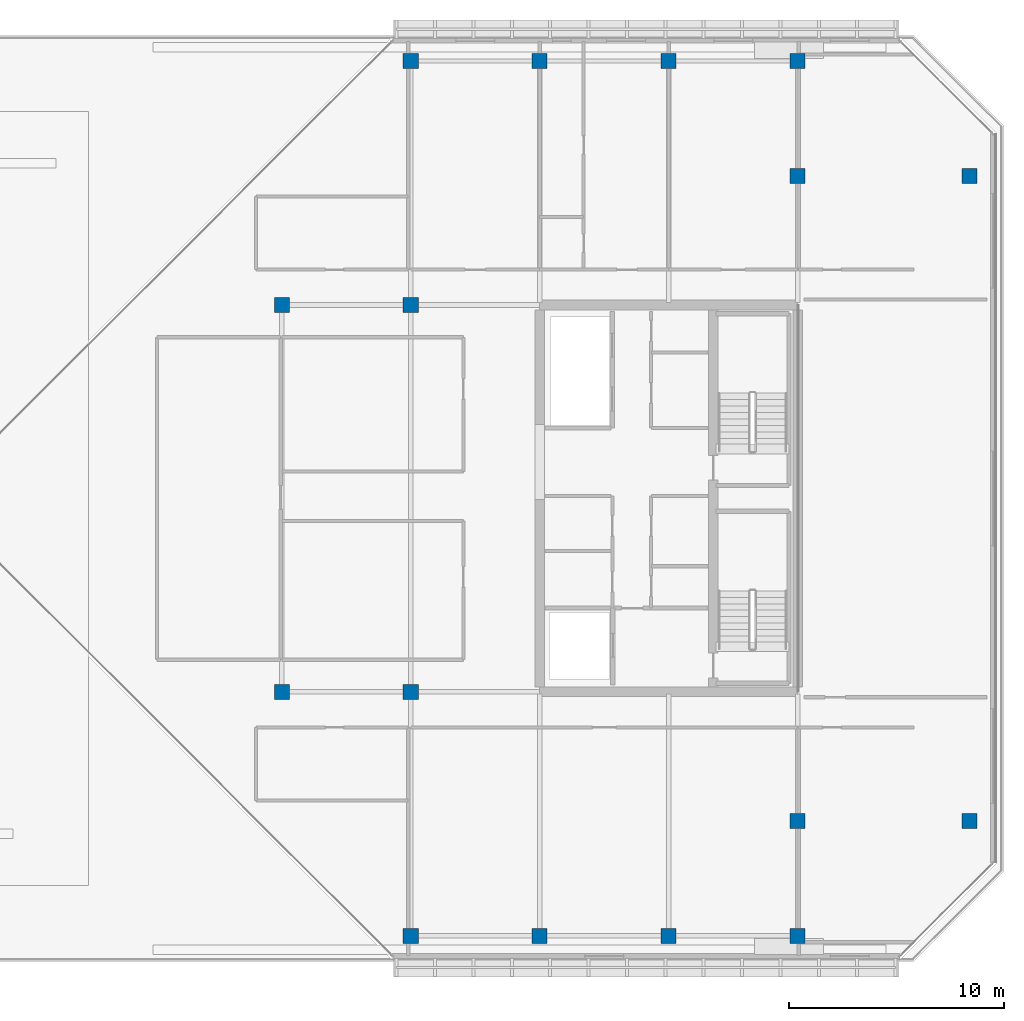
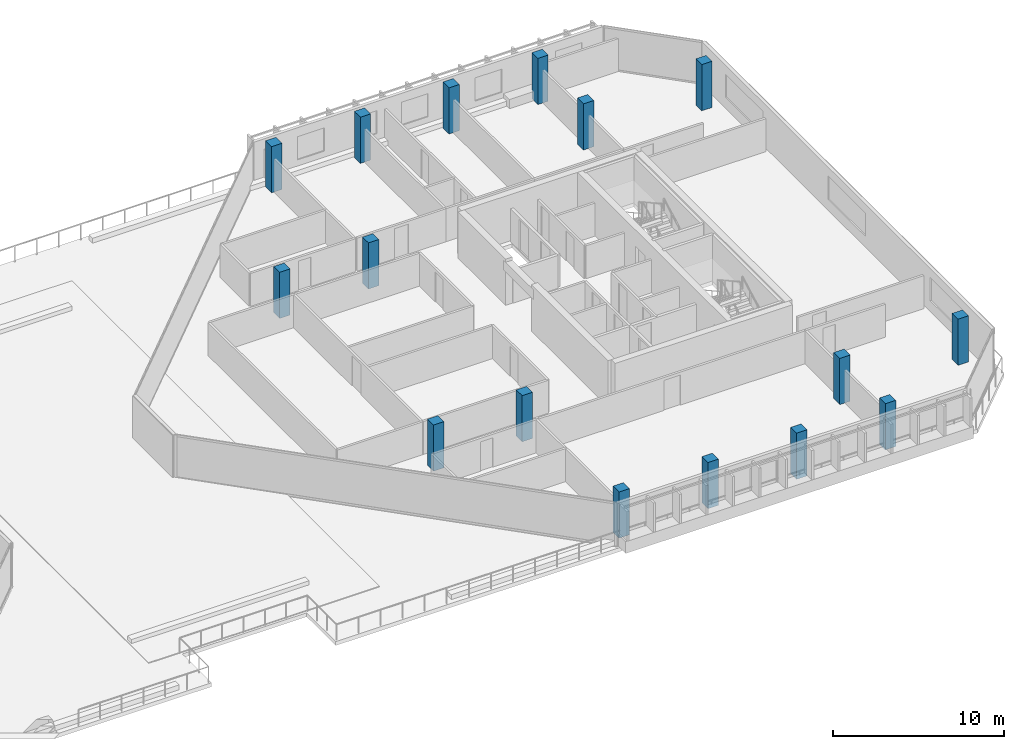
# One storey, part 1 of 30: 16 columns.
"""IFC4 building model written with IfcOpenShell, lengths in metres."""

from ifc_helpers import new_model, si_unit, direction, frame, origin, origin_2d, place, context, subcontext, project, spatial, rectangle, extrude, material, material_profile, profile_set, type_object, element, save


model = new_model("IFC4")

# Units and contexts
model_context = context("Model", 3, precision=1e-05, world=origin(), true_north=direction((0.0, 1.0)))
body_context = subcontext(model_context, "Body", "Model", "MODEL_VIEW")
ifc_project = project(units=[si_unit("LENGTHUNIT", "METRE"), si_unit("AREAUNIT", "SQUARE_METRE"), si_unit("VOLUMEUNIT", "CUBIC_METRE"), si_unit("PLANEANGLEUNIT", "RADIAN"), si_unit("MASSUNIT", "GRAM", prefix="KILO")], contexts=[model_context])

# Site, building, storey
site_placement = place(None, origin())
site = spatial("IfcSite", under=ifc_project, at=site_placement, CompositionType="ELEMENT")
building_placement = place(site_placement, origin())
building = spatial("IfcBuilding", under=site, at=building_placement, Name="Tanjung Sevakor Pilgrim Tower", CompositionType="ELEMENT")
storey_placement = place(building_placement, frame((0.0, 0.0, 229.35009765625)))
storey = spatial("IfcBuildingStorey", under=building, at=storey_placement, Name="L64", CompositionType="ELEMENT", Elevation=229.35009765625)

# Columns
ifc_material = material(Name="Concrete C60/75", Category="concrete")
ifc_material_profile = material_profile(ifc_material, rectangle(XDim=0.699951171875, YDim=0.699951171875, at=origin_2d()))
ifc_profile_set = profile_set([ifc_material_profile], Name="Concrete C60/75")
column_type = type_object("IfcColumnType", Name="COL-C-T700-RC_700x700", PredefinedType="COLUMN", material=ifc_profile_set)
for number, where, z_axis, x_axis, name in (
    (1, (66.0, 24.60009765625, 0.0), (0.0, 0.0, 1.0), (1.0, 0.0, 0.0), "L64 Column SPE-066-246"),
    (2, (66.0, 42.60009765625, 0.0), (0.0, 0.0, 1.0), (1.0, 0.0, 0.0), "L64 Column SPE-066-426"),
    (3, (72.0, 24.60009765625, 0.0), (0.0, 0.0, 1.0), (1.0, 0.0, 0.0), "L64 Column SPE-072-246"),
    (4, (72.0, 42.60009765625, 0.0), (0.0, 0.0, 1.0), (1.0, 0.0, 0.0), "L64 Column SPE-072-426"),
    (5, (90.0, 18.60009765625, 0.0), (0.0, 0.0, 1.0), (1.0, 0.0, 0.0), "L64 Column TCE-0900-186"),
    (6, (90.0, 48.60009765625, 0.0), (0.0, 0.0, 1.0), (1.0, 0.0, 0.0), "L64 Column TCE-0900-486"),
    (7, (98.0, 18.60009765625, 0.0), (0.0, 0.0, 1.0), (1.0, 0.0, 0.0), "L64 Column TCE-0980-186"),
    (8, (98.0, 48.60009765625, 0.0), (0.0, 0.0, 1.0), (1.0, 0.0, 0.0), "L64 Column TCE-0980-486"),
    (9, (72.0, 13.25, 0.0), (0.0, 0.0, 1.0), (1.0, 0.0, 0.0), "L64 Column TC4-072-132"),
    (10, (72.0, 53.949951171875, 0.0), (0.0, 0.0, 1.0), (1.0, 0.0, 0.0), "L64 Column TC4-072-540"),
    (11, (78.0, 13.25, 0.0), (0.0, 0.0, 1.0), (1.0, 0.0, 0.0), "L64 Column TC4-078-132"),
    (12, (78.0, 53.949951171875, 0.0), (0.0, 0.0, 1.0), (1.0, 0.0, 0.0), "L64 Column TC4-078-540"),
    (13, (84.0, 13.25, 0.0), (0.0, 0.0, 1.0), (1.0, 0.0, 0.0), "L64 Column TC4-084-132"),
    (14, (84.0, 53.949951171875, 0.0), (0.0, 0.0, 1.0), (1.0, 0.0, 0.0), "L64 Column TC4-084-540"),
    (15, (90.0, 13.25, 0.0), (0.0, 0.0, 1.0), (1.0, 0.0, 0.0), "L64 Column TC4-090-132"),
    (16, (90.0, 53.949951171875, 0.0), (0.0, 0.0, 1.0), (1.0, 0.0, 0.0), "L64 Column TC4-090-540"),
):
    element("IfcColumn", number, at=place(storey_placement, frame(where, z_axis=z_axis, x_axis=x_axis)), inside=storey, type_object=column_type, Name=name, PredefinedType="COLUMN", context=body_context, shape_type="SweptSolid", body=[
        extrude(rectangle(XDim=0.699951171875, YDim=0.699951171875, at=origin_2d()), origin(), (0.0, 0.0, 1.0), 3.2998046875),
    ])

save(model, "model.ifc")
